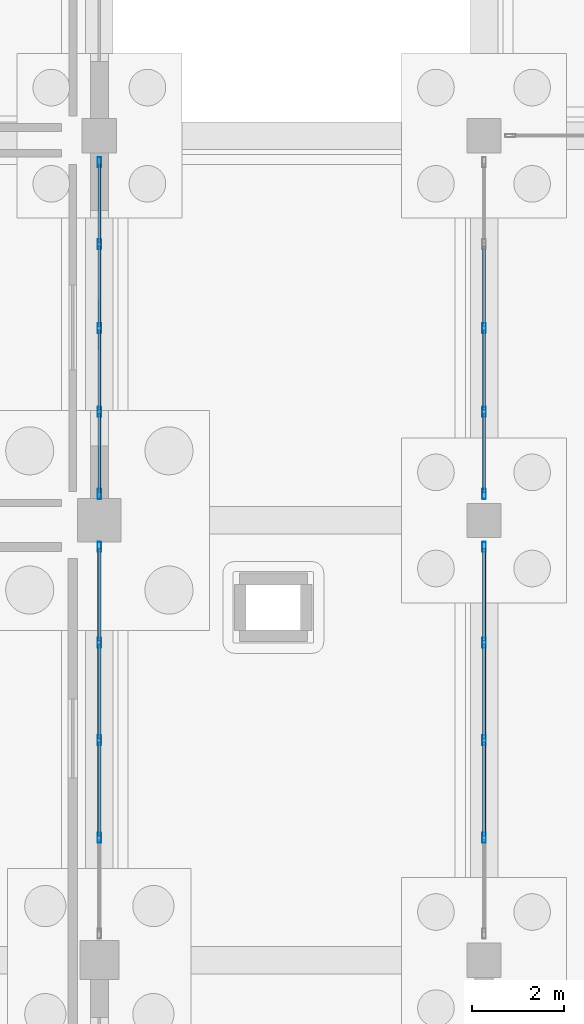
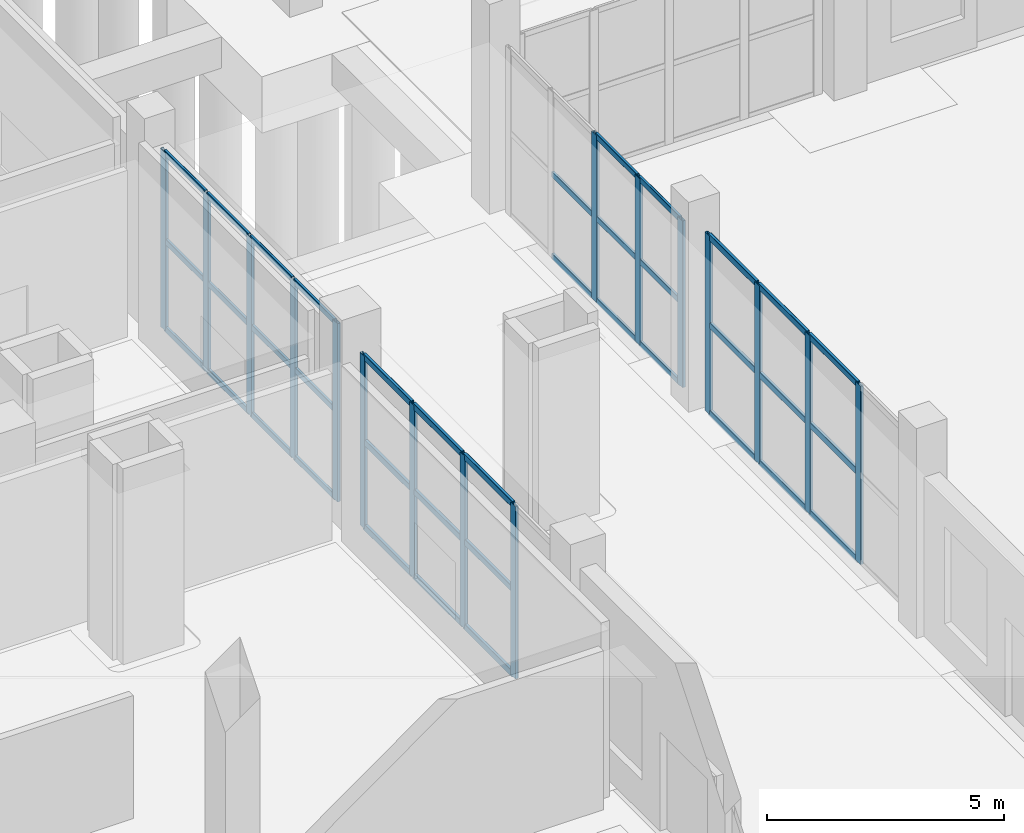
# One storey, part 20 of 65: 54 members, 4 elements without a shape of their own.
"""IFC4 building model written with IfcOpenShell, lengths in metres."""

from ifc_helpers import new_model, si_unit, direction, frame, origin, origin_2d, place, context, subcontext, project, spatial, hollow_rectangle, extrude, material, layer, layer_set, material_profile, profile_set, type_object, element, aggregate, save


model = new_model("IFC4")

# Units and contexts
model_context = context("Model", 3, precision=1e-05, world=origin(), true_north=direction((0.0, 1.0)))
body_context = subcontext(model_context, "Body", "Model", "MODEL_VIEW")
ifc_project = project(units=[si_unit("LENGTHUNIT", "METRE"), si_unit("AREAUNIT", "SQUARE_METRE"), si_unit("VOLUMEUNIT", "CUBIC_METRE"), si_unit("PLANEANGLEUNIT", "RADIAN"), si_unit("MASSUNIT", "GRAM", prefix="KILO")], contexts=[model_context])

# Site, building, storey
site_placement = place(None, origin())
site = spatial("IfcSite", under=ifc_project, at=site_placement, CompositionType="ELEMENT")
building_placement = place(site_placement, origin())
building = spatial("IfcBuilding", under=site, at=building_placement, Name="Zulmaris Art Gallery", CompositionType="ELEMENT")
storey_placement = place(building_placement, origin())
storey = spatial("IfcBuildingStorey", under=building, at=storey_placement, Name="L00", CompositionType="ELEMENT", Elevation=0.0)

# Curtain wall, members
ifc_material_1 = material(Name="Cloister & Court Glazed Curtain Wall", Category="aluminium")
ifc_layer = layer(ifc_material_1, 0.179931640625)
ifc_layer_set = layer_set([ifc_layer], Name="Cloister & Court Glazed Curtain Wall")
curtain_wall_type = type_object("IfcCurtainWallType", Name="CW-CW03", PredefinedType="NOTDEFINED", material=ifc_layer_set)
curtain_wall_1_placement = place(storey_placement, origin())
curtain_wall_1 = element("IfcCurtainWall", 1, at=curtain_wall_1_placement, inside=storey, type_object=curtain_wall_type, Name="L00 curtain wall 67", PredefinedType="NOTDEFINED")
ifc_material_2 = material(Name="Anodised Bronze Aluminium", Category="aluminium")
ifc_material_profile_1 = material_profile(ifc_material_2, hollow_rectangle(XDim=0.074951171875, YDim=0.219970703125, WallThickness=0.0048828125, InnerFilletRadius=0.007568359375, OuterFilletRadius=0.012451171875, at=origin_2d()), Name="ALU 75x220x5")
ifc_profile_set_1 = profile_set([ifc_material_profile_1], Name="Anodised Bronze Aluminium")
member_type_1 = type_object("IfcMemberType", Name="CWMUL-02", PredefinedType="MULLION", material=ifc_profile_set_1)
member_1_placement = place(storey_placement, frame((82.800048828125, 43.469970703125, 0.0), z_axis=(0.0, 0.0, 1.0), x_axis=(-1.0, 0.0, 0.0)))
member_1 = element("IfcMember", 2, at=member_1_placement, type_object=member_type_1, Name="CW03 mullion 2", PredefinedType="MULLION", context=body_context, shape_type="SweptSolid", body=[
    extrude(hollow_rectangle(XDim=0.074951171875, YDim=0.219970703125, WallThickness=0.0048828125, InnerFilletRadius=0.007568359375, OuterFilletRadius=0.012451171875, at=origin_2d()), origin(), (0.0, 0.0, 1.0), 4.43994140625),
])
member_2_placement = place(storey_placement, frame((82.800048828125, 45.60009765625, 0.0), z_axis=(0.0, 0.0, 1.0), x_axis=(-1.0, 0.0, 0.0)))
member_2 = element("IfcMember", 3, at=member_2_placement, type_object=member_type_1, Name="CW03 mullion 3", PredefinedType="MULLION", context=body_context, shape_type="SweptSolid", body=[
    extrude(hollow_rectangle(XDim=0.074951171875, YDim=0.219970703125, WallThickness=0.0048828125, InnerFilletRadius=0.007568359375, OuterFilletRadius=0.012451171875, at=origin_2d()), origin(), (0.0, 0.0, 1.0), 4.43994140625),
])
member_3_placement = place(storey_placement, frame((82.800048828125, 47.72998046875, 0.0), z_axis=(0.0, 0.0, 1.0), x_axis=(-1.0, 0.0, 0.0)))
member_3 = element("IfcMember", 4, at=member_3_placement, type_object=member_type_1, Name="CW03 mullion 4", PredefinedType="MULLION", context=body_context, shape_type="SweptSolid", body=[
    extrude(hollow_rectangle(XDim=0.074951171875, YDim=0.219970703125, WallThickness=0.0048828125, InnerFilletRadius=0.007568359375, OuterFilletRadius=0.012451171875, at=origin_2d()), origin(), (0.0, 0.0, 1.0), 4.43994140625),
])
member_4_placement = place(storey_placement, frame((82.800048828125, 49.822509765625, 0.0), z_axis=(0.0, 0.0, 1.0), x_axis=(-1.0, 0.0, 0.0)))
member_4 = element("IfcMember", 5, at=member_4_placement, type_object=member_type_1, Name="CW03 mullion 5", PredefinedType="MULLION", context=body_context, shape_type="SweptSolid", body=[
    extrude(hollow_rectangle(XDim=0.074951171875, YDim=0.219970703125, WallThickness=0.0048828125, InnerFilletRadius=0.007568359375, OuterFilletRadius=0.012451171875, at=origin_2d()), origin(), (0.0, 0.0, 1.0), 4.43994140625),
])

curtain_wall_2_placement = place(storey_placement, origin())
curtain_wall_2 = element("IfcCurtainWall", 6, at=curtain_wall_2_placement, inside=storey, type_object=curtain_wall_type, Name="L00 curtain wall 68", PredefinedType="NOTDEFINED")
member_5_placement = place(storey_placement, frame((91.199951171875, 49.822509765625, 0.0), z_axis=(0.0, 0.0, 1.0), x_axis=(1.0, 0.0, 0.0)))
member_5 = element("IfcMember", 7, at=member_5_placement, type_object=member_type_1, Name="CW03 mullion 1", PredefinedType="MULLION", context=body_context, shape_type="SweptSolid", body=[
    extrude(hollow_rectangle(XDim=0.074951171875, YDim=0.219970703125, WallThickness=0.0048828125, InnerFilletRadius=0.007568359375, OuterFilletRadius=0.012451171875, at=origin_2d()), origin(), (0.0, 0.0, 1.0), 4.590087890625),
])
member_6_placement = place(storey_placement, frame((91.199951171875, 47.72998046875, 0.0), z_axis=(0.0, 0.0, 1.0), x_axis=(1.0, 0.0, 0.0)))
member_6 = element("IfcMember", 8, at=member_6_placement, type_object=member_type_1, Name="CW03 mullion 2", PredefinedType="MULLION", context=body_context, shape_type="SweptSolid", body=[
    extrude(hollow_rectangle(XDim=0.074951171875, YDim=0.219970703125, WallThickness=0.0048828125, InnerFilletRadius=0.007568359375, OuterFilletRadius=0.012451171875, at=origin_2d()), origin(), (0.0, 0.0, 1.0), 4.590087890625),
])
member_7_placement = place(storey_placement, frame((91.199951171875, 45.60009765625, 0.0), z_axis=(0.0, 0.0, 1.0), x_axis=(1.0, 0.0, 0.0)))
member_7 = element("IfcMember", 9, at=member_7_placement, type_object=member_type_1, Name="CW03 mullion 3", PredefinedType="MULLION", context=body_context, shape_type="SweptSolid", body=[
    extrude(hollow_rectangle(XDim=0.074951171875, YDim=0.219970703125, WallThickness=0.0048828125, InnerFilletRadius=0.007568359375, OuterFilletRadius=0.012451171875, at=origin_2d()), origin(), (0.0, 0.0, 1.0), 4.590087890625),
])
member_8_placement = place(storey_placement, frame((91.199951171875, 43.469970703125, 0.0), z_axis=(0.0, 0.0, 1.0), x_axis=(1.0, 0.0, 0.0)))
member_8 = element("IfcMember", 10, at=member_8_placement, type_object=member_type_1, Name="CW03 mullion 4", PredefinedType="MULLION", context=body_context, shape_type="SweptSolid", body=[
    extrude(hollow_rectangle(XDim=0.074951171875, YDim=0.219970703125, WallThickness=0.0048828125, InnerFilletRadius=0.007568359375, OuterFilletRadius=0.012451171875, at=origin_2d()), origin(), (0.0, 0.0, 1.0), 4.590087890625),
])

curtain_wall_3_placement = place(storey_placement, origin())
curtain_wall_3 = element("IfcCurtainWall", 11, at=curtain_wall_3_placement, inside=storey, type_object=curtain_wall_type, Name="L00 curtain wall 69", PredefinedType="NOTDEFINED")
member_9_placement = place(storey_placement, frame((82.800048828125, 50.9775390625, 0.0), z_axis=(0.0, 0.0, 1.0), x_axis=(-1.0, 0.0, 0.0)))
member_9 = element("IfcMember", 12, at=member_9_placement, type_object=member_type_1, Name="CW03 mullion 1", PredefinedType="MULLION", context=body_context, shape_type="SweptSolid", body=[
    extrude(hollow_rectangle(XDim=0.074951171875, YDim=0.219970703125, WallThickness=0.0048828125, InnerFilletRadius=0.007568359375, OuterFilletRadius=0.012451171875, at=origin_2d()), origin(), (0.0, 0.0, 1.0), 4.590087890625),
])
member_10_placement = place(storey_placement, frame((82.800048828125, 52.77001953125, 0.0), z_axis=(0.0, 0.0, 1.0), x_axis=(-1.0, 0.0, 0.0)))
member_10 = element("IfcMember", 13, at=member_10_placement, type_object=member_type_1, Name="CW03 mullion 2", PredefinedType="MULLION", context=body_context, shape_type="SweptSolid", body=[
    extrude(hollow_rectangle(XDim=0.074951171875, YDim=0.219970703125, WallThickness=0.0048828125, InnerFilletRadius=0.007568359375, OuterFilletRadius=0.012451171875, at=origin_2d()), origin(), (0.0, 0.0, 1.0), 4.590087890625),
])
member_11_placement = place(storey_placement, frame((82.800048828125, 54.60009765625, 0.0), z_axis=(0.0, 0.0, 1.0), x_axis=(-1.0, 0.0, 0.0)))
member_11 = element("IfcMember", 14, at=member_11_placement, type_object=member_type_1, Name="CW03 mullion 3", PredefinedType="MULLION", context=body_context, shape_type="SweptSolid", body=[
    extrude(hollow_rectangle(XDim=0.074951171875, YDim=0.219970703125, WallThickness=0.0048828125, InnerFilletRadius=0.007568359375, OuterFilletRadius=0.012451171875, at=origin_2d()), origin(), (0.0, 0.0, 1.0), 4.590087890625),
])
member_12_placement = place(storey_placement, frame((82.800048828125, 56.429931640625, 0.0), z_axis=(0.0, 0.0, 1.0), x_axis=(-1.0, 0.0, 0.0)))
member_12 = element("IfcMember", 15, at=member_12_placement, type_object=member_type_1, Name="CW03 mullion 4", PredefinedType="MULLION", context=body_context, shape_type="SweptSolid", body=[
    extrude(hollow_rectangle(XDim=0.074951171875, YDim=0.219970703125, WallThickness=0.0048828125, InnerFilletRadius=0.007568359375, OuterFilletRadius=0.012451171875, at=origin_2d()), origin(), (0.0, 0.0, 1.0), 4.590087890625),
])
member_13_placement = place(storey_placement, frame((82.800048828125, 58.222412109375, 0.0), z_axis=(0.0, 0.0, 1.0), x_axis=(-1.0, 0.0, 0.0)))
member_13 = element("IfcMember", 16, at=member_13_placement, type_object=member_type_1, Name="CW03 mullion 5", PredefinedType="MULLION", context=body_context, shape_type="SweptSolid", body=[
    extrude(hollow_rectangle(XDim=0.074951171875, YDim=0.219970703125, WallThickness=0.0048828125, InnerFilletRadius=0.007568359375, OuterFilletRadius=0.012451171875, at=origin_2d()), origin(), (0.0, 0.0, 1.0), 4.590087890625),
])

curtain_wall_4_placement = place(storey_placement, origin())
curtain_wall_4 = element("IfcCurtainWall", 17, at=curtain_wall_4_placement, inside=storey, type_object=curtain_wall_type, Name="L00 curtain wall 70", PredefinedType="NOTDEFINED")
member_14_placement = place(storey_placement, frame((91.199951171875, 54.60009765625, 0.0), z_axis=(0.0, 0.0, 1.0), x_axis=(1.0, 0.0, 0.0)))
member_14 = element("IfcMember", 18, at=member_14_placement, type_object=member_type_1, Name="CW03 mullion 3", PredefinedType="MULLION", context=body_context, shape_type="SweptSolid", body=[
    extrude(hollow_rectangle(XDim=0.074951171875, YDim=0.219970703125, WallThickness=0.0048828125, InnerFilletRadius=0.007568359375, OuterFilletRadius=0.012451171875, at=origin_2d()), origin(), (0.0, 0.0, 1.0), 4.2900390625),
])
member_15_placement = place(storey_placement, frame((91.199951171875, 52.77001953125, 0.0), z_axis=(0.0, 0.0, 1.0), x_axis=(1.0, 0.0, 0.0)))
member_15 = element("IfcMember", 19, at=member_15_placement, type_object=member_type_1, Name="CW03 mullion 4", PredefinedType="MULLION", context=body_context, shape_type="SweptSolid", body=[
    extrude(hollow_rectangle(XDim=0.074951171875, YDim=0.219970703125, WallThickness=0.0048828125, InnerFilletRadius=0.007568359375, OuterFilletRadius=0.012451171875, at=origin_2d()), origin(), (0.0, 0.0, 1.0), 4.2900390625),
])
member_16_placement = place(storey_placement, frame((91.199951171875, 50.9775390625, 0.0), z_axis=(0.0, 0.0, 1.0), x_axis=(1.0, 0.0, 0.0)))
member_16 = element("IfcMember", 20, at=member_16_placement, type_object=member_type_1, Name="CW03 mullion 5", PredefinedType="MULLION", context=body_context, shape_type="SweptSolid", body=[
    extrude(hollow_rectangle(XDim=0.074951171875, YDim=0.219970703125, WallThickness=0.0048828125, InnerFilletRadius=0.007568359375, OuterFilletRadius=0.012451171875, at=origin_2d()), origin(), (0.0, 0.0, 1.0), 4.2900390625),
])

# Member
ifc_material_profile_2 = material_profile(ifc_material_2, hollow_rectangle(XDim=0.06494140625, YDim=0.14990234375, WallThickness=0.00390625, InnerFilletRadius=0.006103515625, OuterFilletRadius=0.010009765625, at=origin_2d()), Name="ALU 65x150x4")
ifc_profile_set_2 = profile_set([ifc_material_profile_2], Name="Anodised Bronze Aluminium")
member_type_2 = type_object("IfcMemberType", Name="CWTRN-01", PredefinedType="USERDEFINED", material=ifc_profile_set_2)
member_17_placement = place(storey_placement, frame((82.800048828125, 51.014892578125, 0.03759765625), z_axis=(0.0, 1.0, 0.0), x_axis=(-1.0, 0.0, 0.0)))
member_17 = element("IfcMember", 21, at=member_17_placement, type_object=member_type_2, Name="CW03 transom 1.1", ObjectType="TRANSOM", PredefinedType="USERDEFINED", context=body_context, shape_type="SweptSolid", body=[
    extrude(hollow_rectangle(XDim=0.06494140625, YDim=0.14990234375, WallThickness=0.00390625, InnerFilletRadius=0.006103515625, OuterFilletRadius=0.010009765625, at=origin_2d()), origin(), (0.0, 0.0, 1.0), 1.717529296875),
])

member_18_placement = place(storey_placement, frame((82.800048828125, 51.014892578125, 2.294921875), z_axis=(0.0, 1.0, 0.0), x_axis=(-1.0, 0.0, 0.0)))
member_18 = element("IfcMember", 22, at=member_18_placement, type_object=member_type_2, Name="CW03 transom 1.2", ObjectType="TRANSOM", PredefinedType="USERDEFINED", context=body_context, shape_type="SweptSolid", body=[
    extrude(hollow_rectangle(XDim=0.06494140625, YDim=0.14990234375, WallThickness=0.00390625, InnerFilletRadius=0.006103515625, OuterFilletRadius=0.010009765625, at=origin_2d()), origin(), (0.0, 0.0, 1.0), 1.717529296875),
])

member_19_placement = place(storey_placement, frame((82.800048828125, 51.014892578125, 4.552490234375), z_axis=(0.0, 1.0, 0.0), x_axis=(-1.0, 0.0, 0.0)))
member_19 = element("IfcMember", 23, at=member_19_placement, type_object=member_type_2, Name="CW03 transom 1.3", ObjectType="TRANSOM", PredefinedType="USERDEFINED", context=body_context, shape_type="SweptSolid", body=[
    extrude(hollow_rectangle(XDim=0.06494140625, YDim=0.14990234375, WallThickness=0.00390625, InnerFilletRadius=0.006103515625, OuterFilletRadius=0.010009765625, at=origin_2d()), origin(), (0.0, 0.0, 1.0), 1.717529296875),
])

member_20_placement = place(storey_placement, frame((82.800048828125, 52.8076171875, 0.03759765625), z_axis=(0.0, 1.0, 0.0), x_axis=(-1.0, 0.0, 0.0)))
member_20 = element("IfcMember", 24, at=member_20_placement, type_object=member_type_2, Name="CW03 transom 2.1", ObjectType="TRANSOM", PredefinedType="USERDEFINED", context=body_context, shape_type="SweptSolid", body=[
    extrude(hollow_rectangle(XDim=0.06494140625, YDim=0.14990234375, WallThickness=0.00390625, InnerFilletRadius=0.006103515625, OuterFilletRadius=0.010009765625, at=origin_2d()), origin(), (0.0, 0.0, 1.0), 1.7548828125),
])

member_21_placement = place(storey_placement, frame((82.800048828125, 52.8076171875, 2.294921875), z_axis=(0.0, 1.0, 0.0), x_axis=(-1.0, 0.0, 0.0)))
member_21 = element("IfcMember", 25, at=member_21_placement, type_object=member_type_2, Name="CW03 transom 2.2", ObjectType="TRANSOM", PredefinedType="USERDEFINED", context=body_context, shape_type="SweptSolid", body=[
    extrude(hollow_rectangle(XDim=0.06494140625, YDim=0.14990234375, WallThickness=0.00390625, InnerFilletRadius=0.006103515625, OuterFilletRadius=0.010009765625, at=origin_2d()), origin(), (0.0, 0.0, 1.0), 1.7548828125),
])

member_22_placement = place(storey_placement, frame((82.800048828125, 52.8076171875, 4.552490234375), z_axis=(0.0, 1.0, 0.0), x_axis=(-1.0, 0.0, 0.0)))
member_22 = element("IfcMember", 26, at=member_22_placement, type_object=member_type_2, Name="CW03 transom 2.3", ObjectType="TRANSOM", PredefinedType="USERDEFINED", context=body_context, shape_type="SweptSolid", body=[
    extrude(hollow_rectangle(XDim=0.06494140625, YDim=0.14990234375, WallThickness=0.00390625, InnerFilletRadius=0.006103515625, OuterFilletRadius=0.010009765625, at=origin_2d()), origin(), (0.0, 0.0, 1.0), 1.7548828125),
])

member_23_placement = place(storey_placement, frame((82.800048828125, 54.637451171875, 0.03759765625), z_axis=(0.0, 1.0, 0.0), x_axis=(-1.0, 0.0, 0.0)))
member_23 = element("IfcMember", 27, at=member_23_placement, type_object=member_type_2, Name="CW03 transom 3.1", ObjectType="TRANSOM", PredefinedType="USERDEFINED", context=body_context, shape_type="SweptSolid", body=[
    extrude(hollow_rectangle(XDim=0.06494140625, YDim=0.14990234375, WallThickness=0.00390625, InnerFilletRadius=0.006103515625, OuterFilletRadius=0.010009765625, at=origin_2d()), origin(), (0.0, 0.0, 1.0), 1.755126953125),
])

member_24_placement = place(storey_placement, frame((82.800048828125, 54.637451171875, 2.294921875), z_axis=(0.0, 1.0, 0.0), x_axis=(-1.0, 0.0, 0.0)))
member_24 = element("IfcMember", 28, at=member_24_placement, type_object=member_type_2, Name="CW03 transom 3.2", ObjectType="TRANSOM", PredefinedType="USERDEFINED", context=body_context, shape_type="SweptSolid", body=[
    extrude(hollow_rectangle(XDim=0.06494140625, YDim=0.14990234375, WallThickness=0.00390625, InnerFilletRadius=0.006103515625, OuterFilletRadius=0.010009765625, at=origin_2d()), origin(), (0.0, 0.0, 1.0), 1.755126953125),
])

member_25_placement = place(storey_placement, frame((82.800048828125, 54.637451171875, 4.552490234375), z_axis=(0.0, 1.0, 0.0), x_axis=(-1.0, 0.0, 0.0)))
member_25 = element("IfcMember", 29, at=member_25_placement, type_object=member_type_2, Name="CW03 transom 3.3", ObjectType="TRANSOM", PredefinedType="USERDEFINED", context=body_context, shape_type="SweptSolid", body=[
    extrude(hollow_rectangle(XDim=0.06494140625, YDim=0.14990234375, WallThickness=0.00390625, InnerFilletRadius=0.006103515625, OuterFilletRadius=0.010009765625, at=origin_2d()), origin(), (0.0, 0.0, 1.0), 1.755126953125),
])

member_26_placement = place(storey_placement, frame((82.800048828125, 56.467529296875, 0.03759765625), z_axis=(0.0, 1.0, 0.0), x_axis=(-1.0, 0.0, 0.0)))
member_26 = element("IfcMember", 30, at=member_26_placement, type_object=member_type_2, Name="CW03 transom 4.1", ObjectType="TRANSOM", PredefinedType="USERDEFINED", context=body_context, shape_type="SweptSolid", body=[
    extrude(hollow_rectangle(XDim=0.06494140625, YDim=0.14990234375, WallThickness=0.00390625, InnerFilletRadius=0.006103515625, OuterFilletRadius=0.010009765625, at=origin_2d()), origin(), (0.0, 0.0, 1.0), 1.717529296875),
])

member_27_placement = place(storey_placement, frame((82.800048828125, 56.467529296875, 2.294921875), z_axis=(0.0, 1.0, 0.0), x_axis=(-1.0, 0.0, 0.0)))
member_27 = element("IfcMember", 31, at=member_27_placement, type_object=member_type_2, Name="CW03 transom 4.2", ObjectType="TRANSOM", PredefinedType="USERDEFINED", context=body_context, shape_type="SweptSolid", body=[
    extrude(hollow_rectangle(XDim=0.06494140625, YDim=0.14990234375, WallThickness=0.00390625, InnerFilletRadius=0.006103515625, OuterFilletRadius=0.010009765625, at=origin_2d()), origin(), (0.0, 0.0, 1.0), 1.717529296875),
])

member_28_placement = place(storey_placement, frame((82.800048828125, 56.467529296875, 4.552490234375), z_axis=(0.0, 1.0, 0.0), x_axis=(-1.0, 0.0, 0.0)))
member_28 = element("IfcMember", 32, at=member_28_placement, type_object=member_type_2, Name="CW03 transom 4.3", ObjectType="TRANSOM", PredefinedType="USERDEFINED", context=body_context, shape_type="SweptSolid", body=[
    extrude(hollow_rectangle(XDim=0.06494140625, YDim=0.14990234375, WallThickness=0.00390625, InnerFilletRadius=0.006103515625, OuterFilletRadius=0.010009765625, at=origin_2d()), origin(), (0.0, 0.0, 1.0), 1.717529296875),
])

aggregate(curtain_wall_3, [member_9, member_10, member_11, member_12, member_13, member_17, member_18, member_19, member_20, member_21, member_22, member_23, member_24, member_25, member_26, member_27, member_28])

member_29_placement = place(storey_placement, frame((91.199951171875, 56.392578125, 0.03759765625), z_axis=(0.0, -1.0, 0.0), x_axis=(1.0, 0.0, 0.0)))
member_29 = element("IfcMember", 33, at=member_29_placement, type_object=member_type_2, Name="CW03 transom 2.1", ObjectType="TRANSOM", PredefinedType="USERDEFINED", context=body_context, shape_type="SweptSolid", body=[
    extrude(hollow_rectangle(XDim=0.06494140625, YDim=0.14990234375, WallThickness=0.00390625, InnerFilletRadius=0.006103515625, OuterFilletRadius=0.010009765625, at=origin_2d()), origin(), (0.0, 0.0, 1.0), 1.755126953125),
])

member_30_placement = place(storey_placement, frame((91.199951171875, 56.392578125, 2.14501953125), z_axis=(0.0, -1.0, 0.0), x_axis=(1.0, 0.0, 0.0)))
member_30 = element("IfcMember", 34, at=member_30_placement, type_object=member_type_2, Name="CW03 transom 2.2", ObjectType="TRANSOM", PredefinedType="USERDEFINED", context=body_context, shape_type="SweptSolid", body=[
    extrude(hollow_rectangle(XDim=0.06494140625, YDim=0.14990234375, WallThickness=0.00390625, InnerFilletRadius=0.006103515625, OuterFilletRadius=0.010009765625, at=origin_2d()), origin(), (0.0, 0.0, 1.0), 1.755126953125),
])

member_31_placement = place(storey_placement, frame((91.199951171875, 54.5625, 0.03759765625), z_axis=(0.0, -1.0, 0.0), x_axis=(1.0, 0.0, 0.0)))
member_31 = element("IfcMember", 35, at=member_31_placement, type_object=member_type_2, Name="CW03 transom 3.1", ObjectType="TRANSOM", PredefinedType="USERDEFINED", context=body_context, shape_type="SweptSolid", body=[
    extrude(hollow_rectangle(XDim=0.06494140625, YDim=0.14990234375, WallThickness=0.00390625, InnerFilletRadius=0.006103515625, OuterFilletRadius=0.010009765625, at=origin_2d()), origin(), (0.0, 0.0, 1.0), 1.7548828125),
])

member_32_placement = place(storey_placement, frame((91.199951171875, 54.5625, 2.14501953125), z_axis=(0.0, -1.0, 0.0), x_axis=(1.0, 0.0, 0.0)))
member_32 = element("IfcMember", 36, at=member_32_placement, type_object=member_type_2, Name="CW03 transom 3.2", ObjectType="TRANSOM", PredefinedType="USERDEFINED", context=body_context, shape_type="SweptSolid", body=[
    extrude(hollow_rectangle(XDim=0.06494140625, YDim=0.14990234375, WallThickness=0.00390625, InnerFilletRadius=0.006103515625, OuterFilletRadius=0.010009765625, at=origin_2d()), origin(), (0.0, 0.0, 1.0), 1.7548828125),
])

member_33_placement = place(storey_placement, frame((91.199951171875, 54.5625, 4.25244140625), z_axis=(0.0, -1.0, 0.0), x_axis=(1.0, 0.0, 0.0)))
member_33 = element("IfcMember", 37, at=member_33_placement, type_object=member_type_2, Name="CW03 transom 3.3", ObjectType="TRANSOM", PredefinedType="USERDEFINED", context=body_context, shape_type="SweptSolid", body=[
    extrude(hollow_rectangle(XDim=0.06494140625, YDim=0.14990234375, WallThickness=0.00390625, InnerFilletRadius=0.006103515625, OuterFilletRadius=0.010009765625, at=origin_2d()), origin(), (0.0, 0.0, 1.0), 1.7548828125),
])

member_34_placement = place(storey_placement, frame((91.199951171875, 52.732421875, 0.03759765625), z_axis=(0.0, -1.0, 0.0), x_axis=(1.0, 0.0, 0.0)))
member_34 = element("IfcMember", 38, at=member_34_placement, type_object=member_type_2, Name="CW03 transom 4.1", ObjectType="TRANSOM", PredefinedType="USERDEFINED", context=body_context, shape_type="SweptSolid", body=[
    extrude(hollow_rectangle(XDim=0.06494140625, YDim=0.14990234375, WallThickness=0.00390625, InnerFilletRadius=0.006103515625, OuterFilletRadius=0.010009765625, at=origin_2d()), origin(), (0.0, 0.0, 1.0), 1.717529296875),
])

member_35_placement = place(storey_placement, frame((91.199951171875, 52.732421875, 2.14501953125), z_axis=(0.0, -1.0, 0.0), x_axis=(1.0, 0.0, 0.0)))
member_35 = element("IfcMember", 39, at=member_35_placement, type_object=member_type_2, Name="CW03 transom 4.2", ObjectType="TRANSOM", PredefinedType="USERDEFINED", context=body_context, shape_type="SweptSolid", body=[
    extrude(hollow_rectangle(XDim=0.06494140625, YDim=0.14990234375, WallThickness=0.00390625, InnerFilletRadius=0.006103515625, OuterFilletRadius=0.010009765625, at=origin_2d()), origin(), (0.0, 0.0, 1.0), 1.717529296875),
])

member_36_placement = place(storey_placement, frame((91.199951171875, 52.732421875, 4.25244140625), z_axis=(0.0, -1.0, 0.0), x_axis=(1.0, 0.0, 0.0)))
member_36 = element("IfcMember", 40, at=member_36_placement, type_object=member_type_2, Name="CW03 transom 4.3", ObjectType="TRANSOM", PredefinedType="USERDEFINED", context=body_context, shape_type="SweptSolid", body=[
    extrude(hollow_rectangle(XDim=0.06494140625, YDim=0.14990234375, WallThickness=0.00390625, InnerFilletRadius=0.006103515625, OuterFilletRadius=0.010009765625, at=origin_2d()), origin(), (0.0, 0.0, 1.0), 1.717529296875),
])

aggregate(curtain_wall_4, [member_14, member_15, member_16, member_29, member_30, member_31, member_32, member_33, member_34, member_35, member_36])

ifc_material_profile_3 = material_profile(ifc_material_2, hollow_rectangle(XDim=0.074951171875, YDim=0.159912109375, WallThickness=0.00390625, InnerFilletRadius=0.006103515625, OuterFilletRadius=0.010009765625, at=origin_2d()), Name="ALU 75x160x4")
ifc_profile_set_3 = profile_set([ifc_material_profile_3], Name="Anodised Bronze Aluminium")
member_type_3 = type_object("IfcMemberType", Name="CWTRN-02", PredefinedType="USERDEFINED", material=ifc_profile_set_3)
member_37_placement = place(storey_placement, frame((82.800048828125, 43.507568359375, 0.03759765625), z_axis=(0.0, 1.0, 0.0), x_axis=(-1.0, 0.0, 0.0)))
member_37 = element("IfcMember", 41, at=member_37_placement, type_object=member_type_3, Name="CW03 transom 2.1", ObjectType="TRANSOM", PredefinedType="USERDEFINED", context=body_context, shape_type="SweptSolid", body=[
    extrude(hollow_rectangle(XDim=0.074951171875, YDim=0.159912109375, WallThickness=0.00390625, InnerFilletRadius=0.006103515625, OuterFilletRadius=0.010009765625, at=origin_2d()), origin(), (0.0, 0.0, 1.0), 2.054931640625),
])

member_38_placement = place(storey_placement, frame((82.800048828125, 43.507568359375, 2.219970703125), z_axis=(0.0, 1.0, 0.0), x_axis=(-1.0, 0.0, 0.0)))
member_38 = element("IfcMember", 42, at=member_38_placement, type_object=member_type_3, Name="CW03 transom 2.2", ObjectType="TRANSOM", PredefinedType="USERDEFINED", context=body_context, shape_type="SweptSolid", body=[
    extrude(hollow_rectangle(XDim=0.074951171875, YDim=0.159912109375, WallThickness=0.00390625, InnerFilletRadius=0.006103515625, OuterFilletRadius=0.010009765625, at=origin_2d()), origin(), (0.0, 0.0, 1.0), 2.054931640625),
])

member_39_placement = place(storey_placement, frame((82.800048828125, 43.507568359375, 4.402587890625), z_axis=(0.0, 1.0, 0.0), x_axis=(-1.0, 0.0, 0.0)))
member_39 = element("IfcMember", 43, at=member_39_placement, type_object=member_type_3, Name="CW03 transom 2.3", ObjectType="TRANSOM", PredefinedType="USERDEFINED", context=body_context, shape_type="SweptSolid", body=[
    extrude(hollow_rectangle(XDim=0.074951171875, YDim=0.159912109375, WallThickness=0.00390625, InnerFilletRadius=0.006103515625, OuterFilletRadius=0.010009765625, at=origin_2d()), origin(), (0.0, 0.0, 1.0), 2.054931640625),
])

member_40_placement = place(storey_placement, frame((82.800048828125, 45.637451171875, 0.03759765625), z_axis=(0.0, 1.0, 0.0), x_axis=(-1.0, 0.0, 0.0)))
member_40 = element("IfcMember", 44, at=member_40_placement, type_object=member_type_3, Name="CW03 transom 3.1", ObjectType="TRANSOM", PredefinedType="USERDEFINED", context=body_context, shape_type="SweptSolid", body=[
    extrude(hollow_rectangle(XDim=0.074951171875, YDim=0.159912109375, WallThickness=0.00390625, InnerFilletRadius=0.006103515625, OuterFilletRadius=0.010009765625, at=origin_2d()), origin(), (0.0, 0.0, 1.0), 2.054931640625),
])

member_41_placement = place(storey_placement, frame((82.800048828125, 45.637451171875, 2.219970703125), z_axis=(0.0, 1.0, 0.0), x_axis=(-1.0, 0.0, 0.0)))
member_41 = element("IfcMember", 45, at=member_41_placement, type_object=member_type_3, Name="CW03 transom 3.2", ObjectType="TRANSOM", PredefinedType="USERDEFINED", context=body_context, shape_type="SweptSolid", body=[
    extrude(hollow_rectangle(XDim=0.074951171875, YDim=0.159912109375, WallThickness=0.00390625, InnerFilletRadius=0.006103515625, OuterFilletRadius=0.010009765625, at=origin_2d()), origin(), (0.0, 0.0, 1.0), 2.054931640625),
])

member_42_placement = place(storey_placement, frame((82.800048828125, 45.637451171875, 4.402587890625), z_axis=(0.0, 1.0, 0.0), x_axis=(-1.0, 0.0, 0.0)))
member_42 = element("IfcMember", 46, at=member_42_placement, type_object=member_type_3, Name="CW03 transom 3.3", ObjectType="TRANSOM", PredefinedType="USERDEFINED", context=body_context, shape_type="SweptSolid", body=[
    extrude(hollow_rectangle(XDim=0.074951171875, YDim=0.159912109375, WallThickness=0.00390625, InnerFilletRadius=0.006103515625, OuterFilletRadius=0.010009765625, at=origin_2d()), origin(), (0.0, 0.0, 1.0), 2.054931640625),
])

member_43_placement = place(storey_placement, frame((82.800048828125, 47.767578125, 0.03759765625), z_axis=(0.0, 1.0, 0.0), x_axis=(-1.0, 0.0, 0.0)))
member_43 = element("IfcMember", 47, at=member_43_placement, type_object=member_type_3, Name="CW03 transom 4.1", ObjectType="TRANSOM", PredefinedType="USERDEFINED", context=body_context, shape_type="SweptSolid", body=[
    extrude(hollow_rectangle(XDim=0.074951171875, YDim=0.159912109375, WallThickness=0.00390625, InnerFilletRadius=0.006103515625, OuterFilletRadius=0.010009765625, at=origin_2d()), origin(), (0.0, 0.0, 1.0), 2.017333984375),
])

member_44_placement = place(storey_placement, frame((82.800048828125, 47.767578125, 2.219970703125), z_axis=(0.0, 1.0, 0.0), x_axis=(-1.0, 0.0, 0.0)))
member_44 = element("IfcMember", 48, at=member_44_placement, type_object=member_type_3, Name="CW03 transom 4.2", ObjectType="TRANSOM", PredefinedType="USERDEFINED", context=body_context, shape_type="SweptSolid", body=[
    extrude(hollow_rectangle(XDim=0.074951171875, YDim=0.159912109375, WallThickness=0.00390625, InnerFilletRadius=0.006103515625, OuterFilletRadius=0.010009765625, at=origin_2d()), origin(), (0.0, 0.0, 1.0), 2.017333984375),
])

member_45_placement = place(storey_placement, frame((82.800048828125, 47.767578125, 4.402587890625), z_axis=(0.0, 1.0, 0.0), x_axis=(-1.0, 0.0, 0.0)))
member_45 = element("IfcMember", 49, at=member_45_placement, type_object=member_type_3, Name="CW03 transom 4.3", ObjectType="TRANSOM", PredefinedType="USERDEFINED", context=body_context, shape_type="SweptSolid", body=[
    extrude(hollow_rectangle(XDim=0.074951171875, YDim=0.159912109375, WallThickness=0.00390625, InnerFilletRadius=0.006103515625, OuterFilletRadius=0.010009765625, at=origin_2d()), origin(), (0.0, 0.0, 1.0), 2.017333984375),
])

aggregate(curtain_wall_1, [member_1, member_2, member_3, member_4, member_37, member_38, member_39, member_40, member_41, member_42, member_43, member_44, member_45])

member_46_placement = place(storey_placement, frame((91.199951171875, 49.784912109375, 0.03759765625), z_axis=(0.0, -1.0, 0.0), x_axis=(1.0, 0.0, 0.0)))
member_46 = element("IfcMember", 50, at=member_46_placement, type_object=member_type_3, Name="CW03 transom 1.1", ObjectType="TRANSOM", PredefinedType="USERDEFINED", context=body_context, shape_type="SweptSolid", body=[
    extrude(hollow_rectangle(XDim=0.074951171875, YDim=0.159912109375, WallThickness=0.00390625, InnerFilletRadius=0.006103515625, OuterFilletRadius=0.010009765625, at=origin_2d()), origin(), (0.0, 0.0, 1.0), 2.017333984375),
])

member_47_placement = place(storey_placement, frame((91.199951171875, 49.784912109375, 2.294921875), z_axis=(0.0, -1.0, 0.0), x_axis=(1.0, 0.0, 0.0)))
member_47 = element("IfcMember", 51, at=member_47_placement, type_object=member_type_3, Name="CW03 transom 1.2", ObjectType="TRANSOM", PredefinedType="USERDEFINED", context=body_context, shape_type="SweptSolid", body=[
    extrude(hollow_rectangle(XDim=0.074951171875, YDim=0.159912109375, WallThickness=0.00390625, InnerFilletRadius=0.006103515625, OuterFilletRadius=0.010009765625, at=origin_2d()), origin(), (0.0, 0.0, 1.0), 2.017333984375),
])

member_48_placement = place(storey_placement, frame((91.199951171875, 49.784912109375, 4.552490234375), z_axis=(0.0, -1.0, 0.0), x_axis=(1.0, 0.0, 0.0)))
member_48 = element("IfcMember", 52, at=member_48_placement, type_object=member_type_3, Name="CW03 transom 1.3", ObjectType="TRANSOM", PredefinedType="USERDEFINED", context=body_context, shape_type="SweptSolid", body=[
    extrude(hollow_rectangle(XDim=0.074951171875, YDim=0.159912109375, WallThickness=0.00390625, InnerFilletRadius=0.006103515625, OuterFilletRadius=0.010009765625, at=origin_2d()), origin(), (0.0, 0.0, 1.0), 2.017333984375),
])

member_49_placement = place(storey_placement, frame((91.199951171875, 47.6923828125, 0.03759765625), z_axis=(0.0, -1.0, 0.0), x_axis=(1.0, 0.0, 0.0)))
member_49 = element("IfcMember", 53, at=member_49_placement, type_object=member_type_3, Name="CW03 transom 2.1", ObjectType="TRANSOM", PredefinedType="USERDEFINED", context=body_context, shape_type="SweptSolid", body=[
    extrude(hollow_rectangle(XDim=0.074951171875, YDim=0.159912109375, WallThickness=0.00390625, InnerFilletRadius=0.006103515625, OuterFilletRadius=0.010009765625, at=origin_2d()), origin(), (0.0, 0.0, 1.0), 2.054931640625),
])

member_50_placement = place(storey_placement, frame((91.199951171875, 47.6923828125, 2.294921875), z_axis=(0.0, -1.0, 0.0), x_axis=(1.0, 0.0, 0.0)))
member_50 = element("IfcMember", 54, at=member_50_placement, type_object=member_type_3, Name="CW03 transom 2.2", ObjectType="TRANSOM", PredefinedType="USERDEFINED", context=body_context, shape_type="SweptSolid", body=[
    extrude(hollow_rectangle(XDim=0.074951171875, YDim=0.159912109375, WallThickness=0.00390625, InnerFilletRadius=0.006103515625, OuterFilletRadius=0.010009765625, at=origin_2d()), origin(), (0.0, 0.0, 1.0), 2.054931640625),
])

member_51_placement = place(storey_placement, frame((91.199951171875, 47.6923828125, 4.552490234375), z_axis=(0.0, -1.0, 0.0), x_axis=(1.0, 0.0, 0.0)))
member_51 = element("IfcMember", 55, at=member_51_placement, type_object=member_type_3, Name="CW03 transom 2.3", ObjectType="TRANSOM", PredefinedType="USERDEFINED", context=body_context, shape_type="SweptSolid", body=[
    extrude(hollow_rectangle(XDim=0.074951171875, YDim=0.159912109375, WallThickness=0.00390625, InnerFilletRadius=0.006103515625, OuterFilletRadius=0.010009765625, at=origin_2d()), origin(), (0.0, 0.0, 1.0), 2.054931640625),
])

member_52_placement = place(storey_placement, frame((91.199951171875, 45.5625, 0.03759765625), z_axis=(0.0, -1.0, 0.0), x_axis=(1.0, 0.0, 0.0)))
member_52 = element("IfcMember", 56, at=member_52_placement, type_object=member_type_3, Name="CW03 transom 3.1", ObjectType="TRANSOM", PredefinedType="USERDEFINED", context=body_context, shape_type="SweptSolid", body=[
    extrude(hollow_rectangle(XDim=0.074951171875, YDim=0.159912109375, WallThickness=0.00390625, InnerFilletRadius=0.006103515625, OuterFilletRadius=0.010009765625, at=origin_2d()), origin(), (0.0, 0.0, 1.0), 2.054931640625),
])

member_53_placement = place(storey_placement, frame((91.199951171875, 45.5625, 2.294921875), z_axis=(0.0, -1.0, 0.0), x_axis=(1.0, 0.0, 0.0)))
member_53 = element("IfcMember", 57, at=member_53_placement, type_object=member_type_3, Name="CW03 transom 3.2", ObjectType="TRANSOM", PredefinedType="USERDEFINED", context=body_context, shape_type="SweptSolid", body=[
    extrude(hollow_rectangle(XDim=0.074951171875, YDim=0.159912109375, WallThickness=0.00390625, InnerFilletRadius=0.006103515625, OuterFilletRadius=0.010009765625, at=origin_2d()), origin(), (0.0, 0.0, 1.0), 2.054931640625),
])

member_54_placement = place(storey_placement, frame((91.199951171875, 45.5625, 4.552490234375), z_axis=(0.0, -1.0, 0.0), x_axis=(1.0, 0.0, 0.0)))
member_54 = element("IfcMember", 58, at=member_54_placement, type_object=member_type_3, Name="CW03 transom 3.3", ObjectType="TRANSOM", PredefinedType="USERDEFINED", context=body_context, shape_type="SweptSolid", body=[
    extrude(hollow_rectangle(XDim=0.074951171875, YDim=0.159912109375, WallThickness=0.00390625, InnerFilletRadius=0.006103515625, OuterFilletRadius=0.010009765625, at=origin_2d()), origin(), (0.0, 0.0, 1.0), 2.054931640625),
])

aggregate(curtain_wall_2, [member_5, member_6, member_7, member_8, member_46, member_47, member_48, member_49, member_50, member_51, member_52, member_53, member_54])

save(model, "model.ifc")
